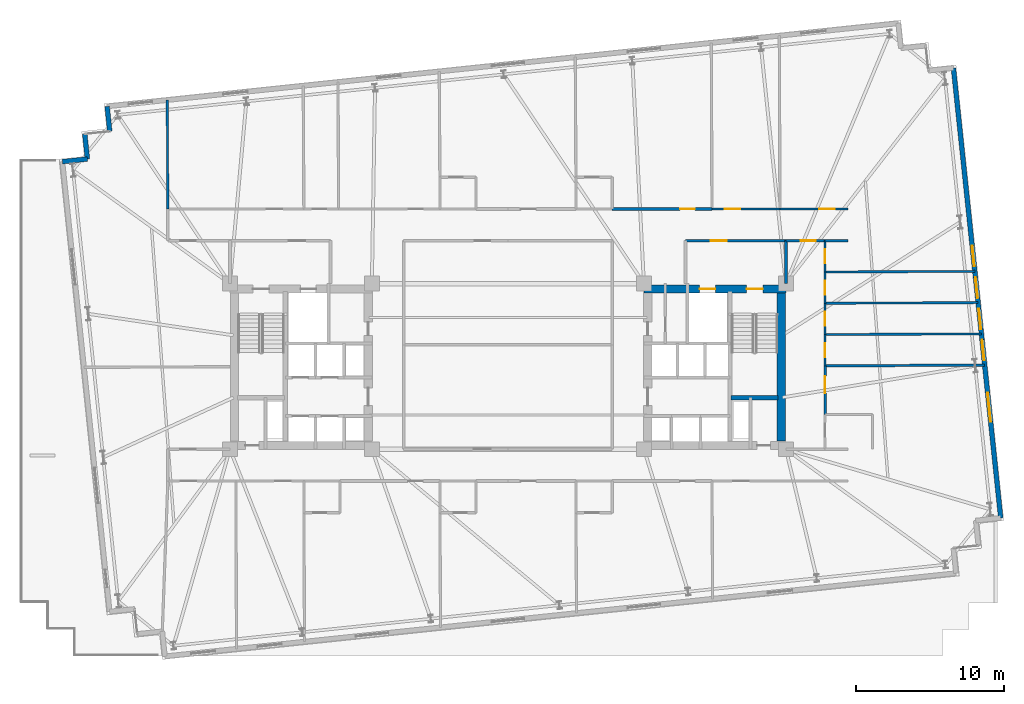
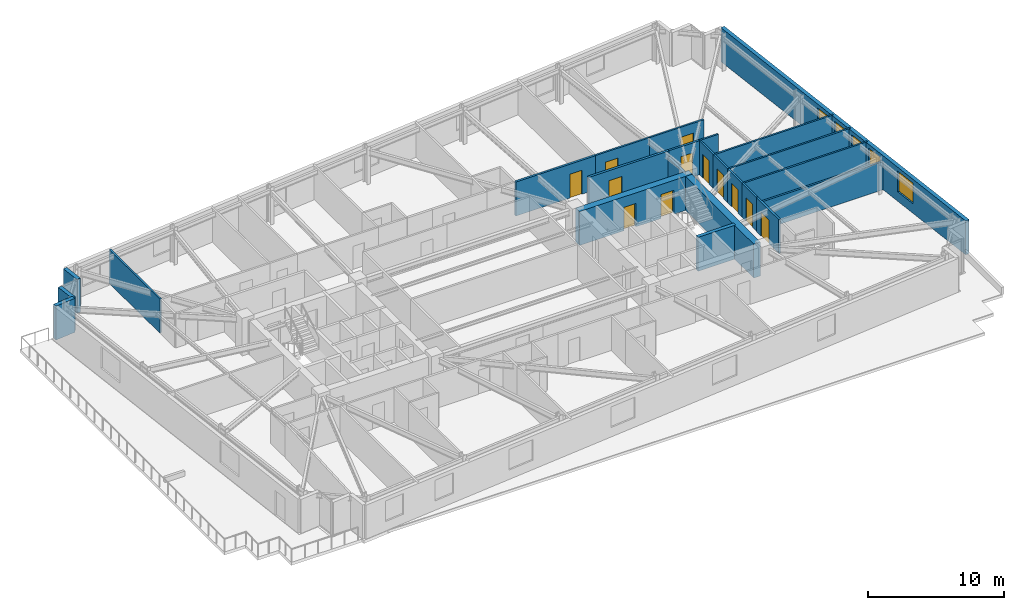
# One storey, part 15 of 20: 24 walls, 12 doors, 5 windows, 17 openings.
"""IFC4 building model written with IfcOpenShell, lengths in metres."""

import ifcopenshell
import ifcopenshell.guid

model = None  # the IFC model being written
_history = None  # IfcOwnerHistory: only IFC2X3 demands one
_inside = {}  # id of a spatial element -> (the spatial element, [elements in it])
_under = {}  # id of a project, library or spatial element -> (it, [spatial elements below it])
_declared = {}  # id of a project -> (the project, [libraries it declares])
_typed = {}  # id of a type object -> (the type object, [elements of that type])
_made_of = {}  # id of a material, layer set ... -> (it, [elements and type objects made of it])


def new_model(schema):
    """Start an empty IFC model of exactly this schema.

    Asked for "IFC4X3", IfcOpenShell would pick the latest addendum, in which some entities
    have other attributes; the version numbers below select the first issue.
    IFC2X3 requires an IfcOwnerHistory on every rooted entity: one is made here for all.
    """
    global model, _history
    if schema == "IFC4X3":
        model = ifcopenshell.file(schema_version=(4, 3, 0, 0))
    else:
        model = ifcopenshell.file(schema=schema)
    _inside.clear()
    _under.clear()
    _declared.clear()
    _typed.clear()
    _made_of.clear()
    _history = None
    if model.schema == "IFC2X3":
        org = make("IfcOrganization", Name="unknown")
        user = make(
            "IfcPersonAndOrganization",
            ThePerson=make("IfcPerson", FamilyName="unknown"),
            TheOrganization=org,
        )
        app = make(
            "IfcApplication",
            ApplicationDeveloper=org,
            Version="unknown",
            ApplicationFullName="unknown",
            ApplicationIdentifier="unknown",
        )
        _history = make(
            "IfcOwnerHistory",
            OwningUser=user,
            OwningApplication=app,
            ChangeAction="ADDED",
            CreationDate=0,
        )
    return model


def make(cls, **values):
    """One entity of the class cls with the attributes given. An attribute that is None is left unset."""
    return model.create_entity(
        cls, **{name: value for name, value in values.items() if value is not None}
    )


def rooted(cls, **values):
    """An entity with a GlobalId (a new one), such as an element, a storey or a relation."""
    return make(cls, GlobalId=ifcopenshell.guid.new(), OwnerHistory=_history, **values)


def si_unit(unit_type, name, prefix=None):
    """IfcSIUnit, for example si_unit("LENGTHUNIT", "METRE", prefix="MILLI")."""
    return make("IfcSIUnit", UnitType=unit_type, Prefix=prefix, Name=name)


def assignment(units):
    """IfcUnitAssignment: the units of a project."""
    return None if units is None else make("IfcUnitAssignment", Units=units)


def point(xyz):
    """IfcCartesianPoint."""
    return None if xyz is None else make("IfcCartesianPoint", Coordinates=xyz)


def direction(xyz):
    """IfcDirection."""
    return None if xyz is None else make("IfcDirection", DirectionRatios=xyz)


def frame(location, z_axis=None, x_axis=None):
    """IfcAxis2Placement3D, a coordinate frame: its origin and axes. An axis left out is left unset."""
    return make(
        "IfcAxis2Placement3D",
        Location=point(location),
        Axis=direction(z_axis),
        RefDirection=direction(x_axis),
    )


def frame_2d(location, x_axis=None):
    """IfcAxis2Placement2D, a coordinate frame in the plane: its origin and x axis."""
    return make(
        "IfcAxis2Placement2D", Location=point(location), RefDirection=direction(x_axis)
    )


def origin():
    """The frame at (0, 0, 0) with its axes left unset."""
    return frame((0.0, 0.0, 0.0))


def place(relative_to, where):
    """IfcLocalPlacement: puts the frame where relative to a parent placement (None: the world)."""
    return make(
        "IfcLocalPlacement", PlacementRelTo=relative_to, RelativePlacement=where
    )


def context(
    kind, dimensions, precision=None, world=None, true_north=None, identifier=None
):
    """IfcGeometricRepresentationContext, for example the 3D "Model" context."""
    return make(
        "IfcGeometricRepresentationContext",
        ContextIdentifier=identifier,
        ContextType=kind,
        CoordinateSpaceDimension=dimensions,
        Precision=precision,
        WorldCoordinateSystem=world,
        TrueNorth=true_north,
    )


def subcontext(parent, identifier, kind, view, scale=None):
    """IfcGeometricRepresentationSubContext, for example "Body" below "Model"."""
    return make(
        "IfcGeometricRepresentationSubContext",
        ContextIdentifier=identifier,
        ContextType=kind,
        ParentContext=parent,
        TargetScale=scale,
        TargetView=view,
    )


def project(units=None, contexts=None):
    """IfcProject with its units and contexts."""
    return rooted(
        "IfcProject",
        Name="project",
        RepresentationContexts=contexts,
        UnitsInContext=assignment(units),
    )


def spatial(cls, under=None, at=None, **own):
    """A site, building, storey or space (cls), placed at a placement, below another one or the project."""
    s = rooted(cls, ObjectPlacement=at, **own)
    if under is not None:
        _under.setdefault(under.id(), (under, []))[1].append(s)
    return s


def profile(cls, at=None, kind="AREA", **sizes):
    """A parametric profile (cls). Its sizes go by their IFC names, for example OverallWidth=200.0."""
    return make(cls, ProfileType=kind, Position=at, **sizes)


def rectangle(**sizes):
    """IfcRectangleProfileDef."""
    return profile("IfcRectangleProfileDef", **sizes)


def extrude(swept, where, along, depth):
    """IfcExtrudedAreaSolid: the profile swept, set in the frame where, extruded along a direction by depth."""
    return make(
        "IfcExtrudedAreaSolid",
        SweptArea=swept,
        Position=where,
        ExtrudedDirection=direction(along),
        Depth=depth,
    )


def shape(context_of_items, identifier, shape_type, items):
    """IfcShapeRepresentation: the items that make up one representation, for example the "Body"."""
    return make(
        "IfcShapeRepresentation",
        ContextOfItems=context_of_items,
        RepresentationIdentifier=identifier,
        RepresentationType=shape_type,
        Items=items,
    )


def material(Name=None, Category=None):
    """IfcMaterial."""
    return make("IfcMaterial", Name=Name, Category=Category)


def layer(
    of_material, thickness, ventilated=None, Name=None, Category=None, Priority=None
):
    """IfcMaterialLayer: one layer of a wall or slab, of a material (None: an air gap)."""
    return make(
        "IfcMaterialLayer",
        Material=of_material,
        LayerThickness=thickness,
        IsVentilated=ventilated,
        Name=Name,
        Category=Category,
        Priority=Priority,
    )


def layer_set(layers, Name=None):
    """IfcMaterialLayerSet."""
    return make("IfcMaterialLayerSet", MaterialLayers=layers, LayerSetName=Name)


def made_of(thing, what):
    """Note that an element or type object is made of a material, layer set ...; save() writes the relation."""
    if what is not None:
        _made_of.setdefault(what.id(), (what, []))[1].append(thing)
    return thing


def type_object(cls, material=None, **own):
    """A type object (cls), such as IfcWallType, which elements share."""
    return made_of(rooted(cls, **own), material)


def element(
    cls,
    number,
    at=None,
    inside=None,
    cuts=None,
    type_object=None,
    material=None,
    context=None,
    identifier="Body",
    shape_type=None,
    held_by="IfcProductDefinitionShape",
    body=None,
    shapes=None,
    **own,
):
    """One element of the class cls, such as IfcWall. Its Tag is "e" and its number.

    at: its placement. inside: the storey or other place that contains it. cuts: it is an
    opening in that element (IfcRelVoidsElement). A single representation is given by context,
    identifier, shape_type and body (its items); several are given by shapes. held_by: the class
    of the entity that holds the representations. save() writes the other relations.
    """
    e = rooted(cls, Tag="e%d" % number, ObjectPlacement=at, **own)
    if body is not None:
        shapes = [shape(context, identifier, shape_type, body)]
    if shapes is not None:
        e.Representation = make(held_by, Representations=shapes)
    if inside is not None:
        _inside.setdefault(inside.id(), (inside, []))[1].append(e)
    if cuts is not None:
        rooted(
            "IfcRelVoidsElement", RelatingBuildingElement=cuts, RelatedOpeningElement=e
        )
    if type_object is not None:
        _typed.setdefault(type_object.id(), (type_object, []))[1].append(e)
    return made_of(e, material)


def fill(opening, filler):
    """IfcRelFillsElement: the door or window that sits in an opening."""
    return rooted(
        "IfcRelFillsElement",
        RelatingOpeningElement=opening,
        RelatedBuildingElement=filler,
    )


def aggregate(whole, parts):
    """IfcRelAggregates: a whole, such as a stair, and the parts it consists of."""
    return rooted("IfcRelAggregates", RelatingObject=whole, RelatedObjects=parts)


def save(model, path):
    """Write the relations noted so far, then the file.

    IfcRelAggregates (storeys below a building ...), IfcRelContainedInSpatialStructure (elements
    in a storey), IfcRelDefinesByType, IfcRelAssociatesMaterial and IfcRelDeclares: one each for
    every whole, place, type object, material and project.
    """
    for whole, parts in _under.values():
        aggregate(whole, parts)
    for where, things in _inside.values():
        rooted(
            "IfcRelContainedInSpatialStructure",
            RelatedElements=things,
            RelatingStructure=where,
        )
    for kind, things in _typed.values():
        rooted("IfcRelDefinesByType", RelatedObjects=things, RelatingType=kind)
    for what, things in _made_of.values():
        rooted("IfcRelAssociatesMaterial", RelatedObjects=things, RelatingMaterial=what)
    for by, libraries in _declared.values():
        rooted("IfcRelDeclares", RelatingContext=by, RelatedDefinitions=libraries)
    model.write(path)


model = new_model("IFC4")

# Units and contexts
model_context = context("Model", 3, precision=1e-05, world=origin(), true_north=direction((0.0, 1.0)))
body_context = subcontext(model_context, "Body", "Model", "MODEL_VIEW")
ifc_project = project(units=[si_unit("LENGTHUNIT", "METRE"), si_unit("AREAUNIT", "SQUARE_METRE"), si_unit("VOLUMEUNIT", "CUBIC_METRE"), si_unit("PLANEANGLEUNIT", "RADIAN"), si_unit("MASSUNIT", "GRAM", prefix="KILO")], contexts=[model_context])

# Site, building, storey
site_placement = place(None, origin())
site = spatial("IfcSite", under=ifc_project, at=site_placement, CompositionType="ELEMENT")
building_placement = place(site_placement, origin())
building = spatial("IfcBuilding", under=site, at=building_placement, Name="Qobustan Lattice House", CompositionType="ELEMENT")
storey_placement = place(building_placement, frame((0.0, 0.0, 79.0)))
storey = spatial("IfcBuildingStorey", under=building, at=storey_placement, Name="L21", CompositionType="ELEMENT", Elevation=79.0)

# Wall, openings, doors
ifc_material_1 = material(Name="Concrete C60/75", Category="concrete")
ifc_layer_1 = layer(ifc_material_1, 0.56005859375)
ifc_layer_set_1 = layer_set([ifc_layer_1], Name="Concrete C60/75")
wall_type_1 = type_object("IfcWallType", Name="WAL-CORE-600", PredefinedType="SHEAR", material=ifc_layer_set_1)
wall_1_placement = place(storey_placement, frame((9.199951171875, 5.239990234375, 0.0), z_axis=(0.0, 0.0, 1.0), x_axis=(1.0, 0.0, 0.0)))
wall_1 = element("IfcWall", 1, at=wall_1_placement, inside=storey, type_object=wall_type_1, Name="L21 split-core shear wall CE-N", PredefinedType="SHEAR", context=body_context, shape_type="SweptSolid", body=[
    extrude(rectangle(XDim=9.60009765625, YDim=0.56005859375, at=frame_2d((4.800048828125, 0.0))), origin(), (0.0, 0.0, 1.0), 3.044921875),
])
opening_1_placement = place(wall_1_placement, frame((6.949951171875, 0.0, 0.0)))
opening_1 = element("IfcOpeningElement", 2, at=opening_1_placement, cuts=wall_1, Name="Opening SD-01", PredefinedType="OPENING", context=body_context, shape_type="SweptSolid", body=[
    extrude(rectangle(XDim=1.10009765625, YDim=2.14990234375, at=frame_2d((0.550048828125, 1.074951171875))), frame((0.0, 0.2900390625, 0.0), z_axis=(0.0, -1.0, 0.0), x_axis=(1.0, 0.0, 0.0)), (0.0, 0.0, 1.0), 0.580078125),
])
opening_2_placement = place(wall_1_placement, frame((3.77490234375, 0.0, 0.0)))
opening_2 = element("IfcOpeningElement", 3, at=opening_2_placement, cuts=wall_1, Name="Opening LD-01", PredefinedType="OPENING", context=body_context, shape_type="SweptSolid", body=[
    extrude(rectangle(XDim=1.050048828125, YDim=2.10009765625, at=frame_2d((0.52490234375, 1.050048828125))), frame((0.0, 0.2900390625, 0.0), z_axis=(0.0, -1.0, 0.0), x_axis=(1.0, 0.0, 0.0)), (0.0, 0.0, 1.0), 0.580078125),
])
ifc_material_2 = material(Name="Persian walnut timber and steel frame door", Category="steel")
door_type_1 = type_object("IfcDoorType", Name="DOR-LIFT-LD-1050x2100", OperationType="NOTDEFINED", PredefinedType="DOOR", material=ifc_material_2)
door_1_placement = place(opening_2_placement, origin())
door_1 = element("IfcDoor", 4, at=door_1_placement, inside=storey, type_object=door_type_1, Name="L21 firefighting lift FF-E landing door", OperationType="DOUBLE_DOOR_SLIDING", OverallHeight=2.10009765625, OverallWidth=1.050048828125, PredefinedType="DOOR", context=body_context, shape_type="SweptSolid", body=[
    extrude(rectangle(XDim=1.050048828125, YDim=2.10009765625, at=frame_2d((0.52490234375, 1.050048828125))), frame((0.0, 0.02490234375, 0.0), z_axis=(0.0, -1.0, 0.0), x_axis=(1.0, 0.0, 0.0)), (0.0, 0.0, 1.0), 0.050048828125),
])
fill(opening_2, door_1)
ifc_material_3 = material(Name="Persian walnut timber and steel frame door", Category="steel")
door_type_2 = type_object("IfcDoorType", Name="DOR-STAIR-FD-1100x2150", OperationType="NOTDEFINED", PredefinedType="DOOR", material=ifc_material_3)
door_2_placement = place(opening_1_placement, origin())
door_2 = element("IfcDoor", 5, at=door_2_placement, inside=storey, type_object=door_type_2, Name="L21 exit stair ST-E1 fire door", OperationType="SINGLE_SWING_RIGHT", OverallHeight=2.14990234375, OverallWidth=1.10009765625, PredefinedType="DOOR", context=body_context, shape_type="SweptSolid", body=[
    extrude(rectangle(XDim=1.10009765625, YDim=2.14990234375, at=frame_2d((0.550048828125, 1.074951171875))), frame((0.0, 0.02490234375, 0.0), z_axis=(0.0, -1.0, 0.0), x_axis=(1.0, 0.0, 0.0)), (0.0, 0.0, 1.0), 0.050048828125),
])
fill(opening_1, door_2)

# Walls
wall_2_placement = place(storey_placement, frame((18.489990234375, -5.050048828125, 0.0), z_axis=(0.0, 0.0, 1.0), x_axis=(0.0, 1.0, 0.0)))
element("IfcWall", 6, at=wall_2_placement, inside=storey, type_object=wall_type_1, Name="L21 split-core shear wall CE-E", PredefinedType="SHEAR", context=body_context, shape_type="SweptSolid", body=[
    extrude(rectangle(XDim=10.10009765625, YDim=0.56005859375, at=frame_2d((5.050048828125, 0.0))), origin(), (0.0, 0.0, 1.0), 3.044921875),
])
ifc_material_4 = material(Name="Concrete C50/60", Category="concrete")
ifc_layer_2 = layer(ifc_material_4, 0.280029296875)
ifc_layer_set_2 = layer_set([ifc_layer_2], Name="Concrete C50/60")
wall_type_2 = type_object("IfcWallType", Name="WAL-CORE-SPINE-280", PredefinedType="SHEAR", material=ifc_layer_set_2)
wall_3_placement = place(storey_placement, frame((15.10009765625, -2.110107421875, 0.0), z_axis=(0.0, 0.0, 1.0), x_axis=(1.0, 0.0, 0.0)))
element("IfcWall", 7, at=wall_3_placement, inside=storey, type_object=wall_type_2, Name="L21 split-core shear wall CE-ST", PredefinedType="SHEAR", context=body_context, shape_type="SweptSolid", body=[
    extrude(rectangle(XDim=3.179931640625, YDim=0.300048828125, at=frame_2d((1.58984375, 0.0))), origin(), (0.0, 0.0, 1.0), 3.044921875),
])
ifc_material_5 = material(Name="Precast concrete C40/50", Category="concrete")
ifc_layer_3 = layer(ifc_material_5, 0.320068359375)
ifc_layer_set_3 = layer_set([ifc_layer_3], Name="Precast concrete C40/50")
wall_type_3 = type_object("IfcWallType", Name="WAL-EXT-STONE-320", PredefinedType="SOLIDWALL", material=ifc_layer_set_3)
for number, where, z_axis, x_axis, name in (
    (8, (-30.13330078125, 13.84912109375, 0.0), (0.0, 0.0, 1.0), (0.994534530939, 0.104408173862, 0.0), "L21 exterior limestone-clad wall 6"),
    (9, (-28.442626953125, 14.026611328125, 0.0), (0.0, 0.0, 1.0), (-0.104550220202, 0.994519608382, 0.0), "L21 exterior limestone-clad wall 7"),
    (10, (-26.9296875, 15.89501953125, 0.0), (0.0, 0.0, 1.0), (-0.104550220202, 0.994519608382, 0.0), "L21 exterior limestone-clad wall 9"),
):
    element("IfcWall", number, at=place(storey_placement, frame(where, z_axis=z_axis, x_axis=x_axis)), inside=storey, type_object=wall_type_3, Name=name, PredefinedType="SOLIDWALL", context=body_context, shape_type="SweptSolid", body=[
        extrude(rectangle(XDim=1.699951171875, YDim=0.320068359375, at=frame_2d((0.85009765625, 0.0))), origin(), (0.0, 0.0, 1.0), 3.044921875),
    ])

# Wall, openings, windows
wall_4_placement = place(storey_placement, frame((30.134765625, 20.183349609375, 0.0), z_axis=(0.0, 0.0, 1.0), x_axis=(0.104525716865, -0.994522184023, 0.0)))
wall_4 = element("IfcWall", 11, at=wall_4_placement, inside=storey, type_object=wall_type_3, Name="L21 exterior limestone-clad wall 15", PredefinedType="SOLIDWALL", context=body_context, shape_type="SweptSolid", body=[
    extrude(rectangle(XDim=30.60009765625, YDim=0.320068359375, at=frame_2d((15.300048828125, 0.0))), origin(), (0.0, 0.0, 1.0), 3.044921875),
])
opening_3_placement = place(wall_4_placement, frame((12.07666015625, 0.0, 0.85009765625)))
opening_3 = element("IfcOpeningElement", 12, at=opening_3_placement, cuts=wall_4, Name="Opening WN-12", PredefinedType="OPENING", context=body_context, shape_type="SweptSolid", body=[
    extrude(rectangle(XDim=1.39990234375, YDim=1.85009765625, at=frame_2d((0.699951171875, 0.925048828125))), frame((0.0, 0.169921875, 0.0), z_axis=(0.0, -1.0, 0.0), x_axis=(1.0, 0.0, 0.0)), (0.0, 0.0, 1.0), 0.340087890625),
])
opening_4_placement = place(wall_4_placement, frame((14.239501953125, 0.0, 0.85009765625)))
opening_4 = element("IfcOpeningElement", 13, at=opening_4_placement, cuts=wall_4, Name="Opening WN-12", PredefinedType="OPENING", context=body_context, shape_type="SweptSolid", body=[
    extrude(rectangle(XDim=1.39990234375, YDim=1.85009765625, at=frame_2d((0.699951171875, 0.925048828125))), frame((0.0, 0.169921875, 0.0), z_axis=(0.0, -1.0, 0.0), x_axis=(1.0, 0.0, 0.0)), (0.0, 0.0, 1.0), 0.340087890625),
])
opening_5_placement = place(wall_4_placement, frame((16.3623046875, 0.0, 0.85009765625)))
opening_5 = element("IfcOpeningElement", 14, at=opening_5_placement, cuts=wall_4, Name="Opening WN-12", PredefinedType="OPENING", context=body_context, shape_type="SweptSolid", body=[
    extrude(rectangle(XDim=1.39990234375, YDim=1.85009765625, at=frame_2d((0.699951171875, 0.925048828125))), frame((0.0, 0.169921875, 0.0), z_axis=(0.0, -1.0, 0.0), x_axis=(1.0, 0.0, 0.0)), (0.0, 0.0, 1.0), 0.340087890625),
])
opening_6_placement = place(wall_4_placement, frame((18.485107421875, 0.0, 0.85009765625)))
opening_6 = element("IfcOpeningElement", 15, at=opening_6_placement, cuts=wall_4, Name="Opening WN-12", PredefinedType="OPENING", context=body_context, shape_type="SweptSolid", body=[
    extrude(rectangle(XDim=1.39990234375, YDim=1.85009765625, at=frame_2d((0.699951171875, 0.925048828125))), frame((0.0, 0.169921875, 0.0), z_axis=(0.0, -1.0, 0.0), x_axis=(1.0, 0.0, 0.0)), (0.0, 0.0, 1.0), 0.340087890625),
])
opening_7_placement = place(wall_4_placement, frame((22.09521484375, 0.0, 0.85009765625)))
opening_7 = element("IfcOpeningElement", 16, at=opening_7_placement, cuts=wall_4, Name="Opening WN-08", PredefinedType="OPENING", context=body_context, shape_type="SweptSolid", body=[
    extrude(rectangle(XDim=1.949951171875, YDim=1.85009765625, at=frame_2d((0.97509765625, 0.925048828125))), frame((0.0, 0.169921875, 0.0), z_axis=(0.0, -1.0, 0.0), x_axis=(1.0, 0.0, 0.0)), (0.0, 0.0, 1.0), 0.340087890625),
])
ifc_material_6 = material(Name="Double-glazed low-E aluminium window", Category="aluminium")
window_type_1 = type_object("IfcWindowType", Name="WIN-BED-1400x1850", PartitioningType="SINGLE_PANEL", PredefinedType="WINDOW", material=ifc_material_6)
window_1_placement = place(opening_3_placement, origin())
window_1 = element("IfcWindow", 17, at=window_1_placement, inside=storey, type_object=window_type_1, Name="L21 Cluster bedroom L21E4 window", OverallHeight=1.85009765625, OverallWidth=1.39990234375, PartitioningType="SINGLE_PANEL", PredefinedType="WINDOW", context=body_context, shape_type="SweptSolid", body=[
    extrude(rectangle(XDim=1.39990234375, YDim=1.85009765625, at=frame_2d((0.699951171875, 0.925048828125))), frame((0.0, 0.030029296875, 0.0), z_axis=(0.0, -1.0, 0.0), x_axis=(1.0, 0.0, 0.0)), (0.0, 0.0, 1.0), 0.06005859375),
])
fill(opening_3, window_1)
window_2_placement = place(opening_4_placement, origin())
window_2 = element("IfcWindow", 18, at=window_2_placement, inside=storey, type_object=window_type_1, Name="L21 Cluster bedroom L21E3 window", OverallHeight=1.85009765625, OverallWidth=1.39990234375, PartitioningType="SINGLE_PANEL", PredefinedType="WINDOW", context=body_context, shape_type="SweptSolid", body=[
    extrude(rectangle(XDim=1.39990234375, YDim=1.85009765625, at=frame_2d((0.699951171875, 0.925048828125))), frame((0.0, 0.030029296875, 0.0), z_axis=(0.0, -1.0, 0.0), x_axis=(1.0, 0.0, 0.0)), (0.0, 0.0, 1.0), 0.06005859375),
])
fill(opening_4, window_2)
window_3_placement = place(opening_5_placement, origin())
window_3 = element("IfcWindow", 19, at=window_3_placement, inside=storey, type_object=window_type_1, Name="L21 Cluster bedroom L21E2 window", OverallHeight=1.85009765625, OverallWidth=1.39990234375, PartitioningType="SINGLE_PANEL", PredefinedType="WINDOW", context=body_context, shape_type="SweptSolid", body=[
    extrude(rectangle(XDim=1.39990234375, YDim=1.85009765625, at=frame_2d((0.699951171875, 0.925048828125))), frame((0.0, 0.030029296875, 0.0), z_axis=(0.0, -1.0, 0.0), x_axis=(1.0, 0.0, 0.0)), (0.0, 0.0, 1.0), 0.06005859375),
])
fill(opening_5, window_3)
window_4_placement = place(opening_6_placement, origin())
window_4 = element("IfcWindow", 20, at=window_4_placement, inside=storey, type_object=window_type_1, Name="L21 Cluster bedroom L21E1 window", OverallHeight=1.85009765625, OverallWidth=1.39990234375, PartitioningType="SINGLE_PANEL", PredefinedType="WINDOW", context=body_context, shape_type="SweptSolid", body=[
    extrude(rectangle(XDim=1.39990234375, YDim=1.85009765625, at=frame_2d((0.699951171875, 0.925048828125))), frame((0.0, 0.030029296875, 0.0), z_axis=(0.0, -1.0, 0.0), x_axis=(1.0, 0.0, 0.0)), (0.0, 0.0, 1.0), 0.06005859375),
])
fill(opening_6, window_4)
ifc_material_7 = material(Name="Double-glazed low-E aluminium window", Category="aluminium")
window_type_2 = type_object("IfcWindowType", Name="WIN-KIT-1950x1850", PartitioningType="SINGLE_PANEL", PredefinedType="WINDOW", material=ifc_material_7)
window_5_placement = place(opening_7_placement, origin())
window_5 = element("IfcWindow", 21, at=window_5_placement, inside=storey, type_object=window_type_2, Name="L21 Shared kitchen L21E window", OverallHeight=1.85009765625, OverallWidth=1.949951171875, PartitioningType="SINGLE_PANEL", PredefinedType="WINDOW", context=body_context, shape_type="SweptSolid", body=[
    extrude(rectangle(XDim=1.949951171875, YDim=1.85009765625, at=frame_2d((0.97509765625, 0.925048828125))), frame((0.0, 0.030029296875, 0.0), z_axis=(0.0, -1.0, 0.0), x_axis=(1.0, 0.0, 0.0)), (0.0, 0.0, 1.0), 0.06005859375),
])
fill(opening_7, window_5)

# Wall, opening, door
ifc_material_8 = material(Name="Gypsum fireboard acoustic partition", Category="gypsum")
ifc_layer_4 = layer(ifc_material_8, 0.179931640625)
ifc_layer_set_4 = layer_set([ifc_layer_4], Name="Gypsum fireboard acoustic partition")
wall_type_4 = type_object("IfcWallType", Name="WAL-FIRE-180", PredefinedType="PARTITIONING", material=ifc_layer_set_4)
wall_5_placement = place(storey_placement, frame((21.449951171875, 8.5, 0.0), z_axis=(0.0, 0.0, 1.0), x_axis=(-1.0, 0.0, 0.0)))
wall_5 = element("IfcWall", 22, at=wall_5_placement, inside=storey, type_object=wall_type_4, Name="L21 interior partition 44", PredefinedType="PARTITIONING", context=body_context, shape_type="SweptSolid", body=[
    extrude(rectangle(XDim=2.64990234375, YDim=0.179931640625, at=frame_2d((1.324951171875, 0.0))), origin(), (0.0, 0.0, 1.0), 3.044921875),
])
opening_8_placement = place(wall_5_placement, frame((0.64111328125, 0.0, 0.0)))
opening_8 = element("IfcOpeningElement", 23, at=opening_8_placement, cuts=wall_5, Name="Opening FD-02", PredefinedType="OPENING", context=body_context, shape_type="SweptSolid", body=[
    extrude(rectangle(XDim=1.0, YDim=2.14990234375, at=frame_2d((0.5, 1.074951171875))), frame((0.0, 0.099853515625, 0.0), z_axis=(0.0, -1.0, 0.0), x_axis=(1.0, 0.0, 0.0)), (0.0, 0.0, 1.0), 0.199951171875),
])
ifc_material_9 = material(Name="Persian walnut timber and steel frame door", Category="steel")
door_type_3 = type_object("IfcDoorType", Name="DOR-UNIT-FD-1000x2150", OperationType="NOTDEFINED", PredefinedType="DOOR", material=ifc_material_9)
door_3_placement = place(opening_8_placement, origin())
door_3 = element("IfcDoor", 24, at=door_3_placement, inside=storey, type_object=door_type_3, Name="L21 North-east floor corridor to Residence entrance hall L21E door", OperationType="SINGLE_SWING_LEFT", OverallHeight=2.14990234375, OverallWidth=1.0, PredefinedType="DOOR", context=body_context, shape_type="SweptSolid", body=[
    extrude(rectangle(XDim=1.0, YDim=2.14990234375, at=frame_2d((0.5, 1.074951171875))), frame((0.0, 0.02490234375, 0.0), z_axis=(0.0, -1.0, 0.0), x_axis=(1.0, 0.0, 0.0)), (0.0, 0.0, 1.0), 0.050048828125),
])
fill(opening_8, door_3)

wall_6_placement = place(storey_placement, frame((7.050048828125, 10.64990234375, 0.0), z_axis=(0.0, 0.0, 1.0), x_axis=(1.0, 0.0, 0.0)))
wall_6 = element("IfcWall", 25, at=wall_6_placement, inside=storey, type_object=wall_type_4, Name="L21 interior partition 47", PredefinedType="PARTITIONING", context=body_context, shape_type="SweptSolid", body=[
    extrude(rectangle(XDim=6.75, YDim=0.179931640625, at=frame_2d((3.375, 0.0))), origin(), (0.0, 0.0, 1.0), 3.044921875),
])
opening_9_placement = place(wall_6_placement, frame((4.59619140625, 0.0, 0.0)))
opening_9 = element("IfcOpeningElement", 26, at=opening_9_placement, cuts=wall_6, Name="Opening FD-02", PredefinedType="OPENING", context=body_context, shape_type="SweptSolid", body=[
    extrude(rectangle(XDim=1.0, YDim=2.14990234375, at=frame_2d((0.5, 1.074951171875))), frame((0.0, 0.099853515625, 0.0), z_axis=(0.0, -1.0, 0.0), x_axis=(1.0, 0.0, 0.0)), (0.0, 0.0, 1.0), 0.199951171875),
])
door_4_placement = place(opening_9_placement, origin())
door_4 = element("IfcDoor", 27, at=door_4_placement, inside=storey, type_object=door_type_3, Name="L21 North-east floor corridor to Kitchenette and studio apartment L21-N4 door", OperationType="SINGLE_SWING_LEFT", OverallHeight=2.14990234375, OverallWidth=1.0, PredefinedType="DOOR", context=body_context, shape_type="SweptSolid", body=[
    extrude(rectangle(XDim=1.0, YDim=2.14990234375, at=frame_2d((0.5, 1.074951171875))), frame((0.0, 0.02490234375, 0.0), z_axis=(0.0, -1.0, 0.0), x_axis=(1.0, 0.0, 0.0)), (0.0, 0.0, 1.0), 0.050048828125),
])
fill(opening_9, door_4)

# Wall
ifc_material_10 = material(Name="Acoustic twin-stud gypsum partition", Category="gypsum")
ifc_layer_5 = layer(ifc_material_10, 0.14990234375)
ifc_layer_set_5 = layer_set([ifc_layer_5], Name="Acoustic twin-stud gypsum partition")
wall_type_5 = type_object("IfcWallType", Name="WAL-PART-150", PredefinedType="PARTITIONING", material=ifc_layer_set_5)
wall_7_placement = place(storey_placement, frame((23.0, 8.5, 0.0), z_axis=(0.0, 0.0, 1.0), x_axis=(-1.0, 0.0, 0.0)))
element("IfcWall", 28, at=wall_7_placement, inside=storey, type_object=wall_type_5, Name="L21 interior partition 45", PredefinedType="PARTITIONING", context=body_context, shape_type="SweptSolid", body=[
    extrude(rectangle(XDim=1.550048828125, YDim=0.14990234375, at=frame_2d((0.77490234375, 0.0))), origin(), (0.0, 0.0, 1.0), 3.044921875),
])

# Wall, opening, door
wall_8_placement = place(storey_placement, frame((13.800048828125, 10.64990234375, 0.0), z_axis=(0.0, 0.0, 1.0), x_axis=(1.0, 0.0, 0.0)))
wall_8 = element("IfcWall", 29, at=wall_8_placement, inside=storey, type_object=wall_type_5, Name="L21 interior partition 49", PredefinedType="PARTITIONING", context=body_context, shape_type="SweptSolid", body=[
    extrude(rectangle(XDim=4.599853515625, YDim=0.14990234375, at=frame_2d((2.2998046875, 0.0))), origin(), (0.0, 0.0, 1.0), 3.044921875),
])
opening_10_placement = place(wall_8_placement, frame((0.878662109375, 0.0, 0.0)))
opening_10 = element("IfcOpeningElement", 30, at=opening_10_placement, cuts=wall_8, Name="Opening ID-02", PredefinedType="OPENING", context=body_context, shape_type="SweptSolid", body=[
    extrude(rectangle(XDim=1.050048828125, YDim=2.14990234375, at=frame_2d((0.52490234375, 1.074951171875))), frame((0.0, 0.0849609375, 0.0), z_axis=(0.0, -1.0, 0.0), x_axis=(1.0, 0.0, 0.0)), (0.0, 0.0, 1.0), 0.169921875),
])
ifc_material_11 = material(Name="Persian walnut timber and steel frame door", Category="steel")
door_type_4 = type_object("IfcDoorType", Name="DOR-STUDY-1050x2150", OperationType="NOTDEFINED", PredefinedType="DOOR", material=ifc_material_11)
door_5_placement = place(opening_10_placement, origin())
door_5 = element("IfcDoor", 31, at=door_5_placement, inside=storey, type_object=door_type_4, Name="L21 North-east floor corridor to Focus study room N5A door", OperationType="SINGLE_SWING_RIGHT", OverallHeight=2.14990234375, OverallWidth=1.050048828125, PredefinedType="DOOR", context=body_context, shape_type="SweptSolid", body=[
    extrude(rectangle(XDim=1.050048828125, YDim=2.14990234375, at=frame_2d((0.52490234375, 1.074951171875))), frame((0.0, 0.02490234375, 0.0), z_axis=(0.0, -1.0, 0.0), x_axis=(1.0, 0.0, 0.0)), (0.0, 0.0, 1.0), 0.050048828125),
])
fill(opening_10, door_5)

wall_9_placement = place(storey_placement, frame((18.39990234375, 10.64990234375, 0.0), z_axis=(0.0, 0.0, 1.0), x_axis=(1.0, 0.0, 0.0)))
wall_9 = element("IfcWall", 32, at=wall_9_placement, inside=storey, type_object=wall_type_5, Name="L21 interior partition 50", PredefinedType="PARTITIONING", context=body_context, shape_type="SweptSolid", body=[
    extrude(rectangle(XDim=4.60009765625, YDim=0.14990234375, at=frame_2d((2.300048828125, 0.0))), origin(), (0.0, 0.0, 1.0), 3.044921875),
])
opening_11_placement = place(wall_9_placement, frame((2.67138671875, 0.0, 0.0)))
opening_11 = element("IfcOpeningElement", 33, at=opening_11_placement, cuts=wall_9, Name="Opening ID-02", PredefinedType="OPENING", context=body_context, shape_type="SweptSolid", body=[
    extrude(rectangle(XDim=1.050048828125, YDim=2.14990234375, at=frame_2d((0.52490234375, 1.074951171875))), frame((0.0, 0.0849609375, 0.0), z_axis=(0.0, -1.0, 0.0), x_axis=(1.0, 0.0, 0.0)), (0.0, 0.0, 1.0), 0.169921875),
])
door_6_placement = place(opening_11_placement, origin())
door_6 = element("IfcDoor", 34, at=door_6_placement, inside=storey, type_object=door_type_4, Name="L21 North-east floor corridor to Focus study room N5B door", OperationType="SINGLE_SWING_LEFT", OverallHeight=2.14990234375, OverallWidth=1.050048828125, PredefinedType="DOOR", context=body_context, shape_type="SweptSolid", body=[
    extrude(rectangle(XDim=1.050048828125, YDim=2.14990234375, at=frame_2d((0.52490234375, 1.074951171875))), frame((0.0, 0.02490234375, 0.0), z_axis=(0.0, -1.0, 0.0), x_axis=(1.0, 0.0, 0.0)), (0.0, 0.0, 1.0), 0.050048828125),
])
fill(opening_11, door_6)

# Wall
wall_10_placement = place(storey_placement, frame((-23.0439453125, 18.0126953125, 0.0), z_axis=(0.0, 0.0, 1.0), x_axis=(0.005968459246, -0.999982188588, 0.0)))
element("IfcWall", 35, at=wall_10_placement, inside=storey, type_object=wall_type_5, Name="L21 interior partition 74", PredefinedType="PARTITIONING", context=body_context, shape_type="SweptSolid", body=[
    extrude(rectangle(XDim=7.363037109375, YDim=0.14990234375, at=frame_2d((3.681640625, 0.0))), origin(), (0.0, 0.0, 1.0), 3.044921875),
])

# Wall, opening, door
wall_11_placement = place(storey_placement, frame((21.449951171875, 2.155029296875, 0.0), z_axis=(0.0, 0.0, 1.0), x_axis=(0.0, -1.0, 0.0)))
wall_11 = element("IfcWall", 36, at=wall_11_placement, inside=storey, type_object=wall_type_5, Name="L21 interior partition 77", PredefinedType="PARTITIONING", context=body_context, shape_type="SweptSolid", body=[
    extrude(rectangle(XDim=2.114990234375, YDim=0.14990234375, at=frame_2d((1.0576171875, 0.0))), origin(), (0.0, 0.0, 1.0), 3.044921875),
])
opening_12_placement = place(wall_11_placement, frame((0.58251953125, 0.0, 0.0)))
opening_12 = element("IfcOpeningElement", 37, at=opening_12_placement, cuts=wall_11, Name="Opening ID-01", PredefinedType="OPENING", context=body_context, shape_type="SweptSolid", body=[
    extrude(rectangle(XDim=0.949951171875, YDim=2.10009765625, at=frame_2d((0.47509765625, 1.050048828125))), frame((0.0, 0.0849609375, 0.0), z_axis=(0.0, -1.0, 0.0), x_axis=(1.0, 0.0, 0.0)), (0.0, 0.0, 1.0), 0.169921875),
])
ifc_material_12 = material(Name="Persian walnut timber and steel frame door", Category="steel")
door_type_5 = type_object("IfcDoorType", Name="DOR-ROOM-950x2100", OperationType="NOTDEFINED", PredefinedType="DOOR", material=ifc_material_12)
door_7_placement = place(opening_12_placement, origin())
door_7 = element("IfcDoor", 38, at=door_7_placement, inside=storey, type_object=door_type_5, Name="L21 Residence entrance hall L21E to Cluster bedroom L21E1 door", OperationType="SINGLE_SWING_RIGHT", OverallHeight=2.10009765625, OverallWidth=0.949951171875, PredefinedType="DOOR", context=body_context, shape_type="SweptSolid", body=[
    extrude(rectangle(XDim=0.949951171875, YDim=2.10009765625, at=frame_2d((0.47509765625, 1.050048828125))), frame((0.0, 0.02490234375, 0.0), z_axis=(0.0, -1.0, 0.0), x_axis=(1.0, 0.0, 0.0)), (0.0, 0.0, 1.0), 0.050048828125),
])
fill(opening_12, door_7)

wall_12_placement = place(storey_placement, frame((21.449951171875, 4.27001953125, 0.0), z_axis=(0.0, 0.0, 1.0), x_axis=(0.0, -1.0, 0.0)))
wall_12 = element("IfcWall", 39, at=wall_12_placement, inside=storey, type_object=wall_type_5, Name="L21 interior partition 78", PredefinedType="PARTITIONING", context=body_context, shape_type="SweptSolid", body=[
    extrude(rectangle(XDim=2.114990234375, YDim=0.14990234375, at=frame_2d((1.0576171875, 0.0))), origin(), (0.0, 0.0, 1.0), 3.044921875),
])
opening_13_placement = place(wall_12_placement, frame((0.58251953125, 0.0, 0.0)))
opening_13 = element("IfcOpeningElement", 40, at=opening_13_placement, cuts=wall_12, Name="Opening ID-01", PredefinedType="OPENING", context=body_context, shape_type="SweptSolid", body=[
    extrude(rectangle(XDim=0.949951171875, YDim=2.10009765625, at=frame_2d((0.47509765625, 1.050048828125))), frame((0.0, 0.0849609375, 0.0), z_axis=(0.0, -1.0, 0.0), x_axis=(1.0, 0.0, 0.0)), (0.0, 0.0, 1.0), 0.169921875),
])
door_8_placement = place(opening_13_placement, origin())
door_8 = element("IfcDoor", 41, at=door_8_placement, inside=storey, type_object=door_type_5, Name="L21 Residence entrance hall L21E to Cluster bedroom L21E2 door", OperationType="SINGLE_SWING_LEFT", OverallHeight=2.10009765625, OverallWidth=0.949951171875, PredefinedType="DOOR", context=body_context, shape_type="SweptSolid", body=[
    extrude(rectangle(XDim=0.949951171875, YDim=2.10009765625, at=frame_2d((0.47509765625, 1.050048828125))), frame((0.0, 0.02490234375, 0.0), z_axis=(0.0, -1.0, 0.0), x_axis=(1.0, 0.0, 0.0)), (0.0, 0.0, 1.0), 0.050048828125),
])
fill(opening_13, door_8)

wall_13_placement = place(storey_placement, frame((21.449951171875, 6.385009765625, 0.0), z_axis=(0.0, 0.0, 1.0), x_axis=(0.0, -1.0, 0.0)))
wall_13 = element("IfcWall", 42, at=wall_13_placement, inside=storey, type_object=wall_type_5, Name="L21 interior partition 79", PredefinedType="PARTITIONING", context=body_context, shape_type="SweptSolid", body=[
    extrude(rectangle(XDim=2.114990234375, YDim=0.14990234375, at=frame_2d((1.0576171875, 0.0))), origin(), (0.0, 0.0, 1.0), 3.044921875),
])
opening_14_placement = place(wall_13_placement, frame((0.58251953125, 0.0, 0.0)))
opening_14 = element("IfcOpeningElement", 43, at=opening_14_placement, cuts=wall_13, Name="Opening ID-01", PredefinedType="OPENING", context=body_context, shape_type="SweptSolid", body=[
    extrude(rectangle(XDim=0.949951171875, YDim=2.10009765625, at=frame_2d((0.47509765625, 1.050048828125))), frame((0.0, 0.0849609375, 0.0), z_axis=(0.0, -1.0, 0.0), x_axis=(1.0, 0.0, 0.0)), (0.0, 0.0, 1.0), 0.169921875),
])
door_9_placement = place(opening_14_placement, origin())
door_9 = element("IfcDoor", 44, at=door_9_placement, inside=storey, type_object=door_type_5, Name="L21 Residence entrance hall L21E to Cluster bedroom L21E3 door", OperationType="SINGLE_SWING_RIGHT", OverallHeight=2.10009765625, OverallWidth=0.949951171875, PredefinedType="DOOR", context=body_context, shape_type="SweptSolid", body=[
    extrude(rectangle(XDim=0.949951171875, YDim=2.10009765625, at=frame_2d((0.47509765625, 1.050048828125))), frame((0.0, 0.02490234375, 0.0), z_axis=(0.0, -1.0, 0.0), x_axis=(1.0, 0.0, 0.0)), (0.0, 0.0, 1.0), 0.050048828125),
])
fill(opening_14, door_9)

wall_14_placement = place(storey_placement, frame((21.449951171875, 8.5, 0.0), z_axis=(0.0, 0.0, 1.0), x_axis=(0.0, -1.0, 0.0)))
wall_14 = element("IfcWall", 45, at=wall_14_placement, inside=storey, type_object=wall_type_5, Name="L21 interior partition 80", PredefinedType="PARTITIONING", context=body_context, shape_type="SweptSolid", body=[
    extrude(rectangle(XDim=2.114990234375, YDim=0.14990234375, at=frame_2d((1.0576171875, 0.0))), origin(), (0.0, 0.0, 1.0), 3.044921875),
])
opening_15_placement = place(wall_14_placement, frame((0.58251953125, 0.0, 0.0)))
opening_15 = element("IfcOpeningElement", 46, at=opening_15_placement, cuts=wall_14, Name="Opening ID-01", PredefinedType="OPENING", context=body_context, shape_type="SweptSolid", body=[
    extrude(rectangle(XDim=0.949951171875, YDim=2.10009765625, at=frame_2d((0.47509765625, 1.050048828125))), frame((0.0, 0.0849609375, 0.0), z_axis=(0.0, -1.0, 0.0), x_axis=(1.0, 0.0, 0.0)), (0.0, 0.0, 1.0), 0.169921875),
])
door_10_placement = place(opening_15_placement, origin())
door_10 = element("IfcDoor", 47, at=door_10_placement, inside=storey, type_object=door_type_5, Name="L21 Residence entrance hall L21E to Cluster bedroom L21E4 door", OperationType="SINGLE_SWING_LEFT", OverallHeight=2.10009765625, OverallWidth=0.949951171875, PredefinedType="DOOR", context=body_context, shape_type="SweptSolid", body=[
    extrude(rectangle(XDim=0.949951171875, YDim=2.10009765625, at=frame_2d((0.47509765625, 1.050048828125))), frame((0.0, 0.02490234375, 0.0), z_axis=(0.0, -1.0, 0.0), x_axis=(1.0, 0.0, 0.0)), (0.0, 0.0, 1.0), 0.050048828125),
])
fill(opening_15, door_10)

# Walls
wall_15_placement = place(storey_placement, frame((21.449951171875, 2.155029296875, 0.0), z_axis=(0.0, 0.0, 1.0), x_axis=(0.999991365588, 0.004155568413, 0.0)))
element("IfcWall", 48, at=wall_15_placement, inside=storey, type_object=wall_type_5, Name="L21 interior partition 84", PredefinedType="PARTITIONING", context=body_context, shape_type="SweptSolid", body=[
    extrude(rectangle(XDim=10.574951171875, YDim=0.14990234375, at=frame_2d((5.28759765625, 0.0))), origin(), (0.0, 0.0, 1.0), 3.044921875),
])
wall_16_placement = place(storey_placement, frame((21.449951171875, 4.27001953125, 0.0), z_axis=(0.0, 0.0, 1.0), x_axis=(0.999990991033, 0.004244744214, 0.0)))
element("IfcWall", 49, at=wall_16_placement, inside=storey, type_object=wall_type_5, Name="L21 interior partition 85", PredefinedType="PARTITIONING", context=body_context, shape_type="SweptSolid", body=[
    extrude(rectangle(XDim=10.352783203125, YDim=0.14990234375, at=frame_2d((5.17626953125, 0.0))), origin(), (0.0, 0.0, 1.0), 3.044921875),
])
wall_17_placement = place(storey_placement, frame((21.449951171875, 6.385009765625, 0.0), z_axis=(0.0, 0.0, 1.0), x_axis=(0.999990591112, 0.004337935759, 0.0)))
element("IfcWall", 50, at=wall_17_placement, inside=storey, type_object=wall_type_5, Name="L21 interior partition 86", PredefinedType="PARTITIONING", context=body_context, shape_type="SweptSolid", body=[
    extrude(rectangle(XDim=10.13037109375, YDim=0.14990234375, at=frame_2d((5.065185546875, 0.0))), origin(), (0.0, 0.0, 1.0), 3.044921875),
])

# Wall, opening, door
ifc_material_13 = material(Name="High-mass acoustic twin-stud partition", Category="gypsum")
ifc_layer_6 = layer(ifc_material_13, 0.1650390625)
ifc_layer_set_6 = layer_set([ifc_layer_6], Name="High-mass acoustic twin-stud partition")
wall_type_6 = type_object("IfcWallType", Name="WAL-PART-165", PredefinedType="PARTITIONING", material=ifc_layer_set_6)
wall_18_placement = place(storey_placement, frame((21.449951171875, 0.0400390625, 0.0), z_axis=(0.0, 0.0, 1.0), x_axis=(0.0, -1.0, 0.0)))
wall_18 = element("IfcWall", 51, at=wall_18_placement, inside=storey, type_object=wall_type_6, Name="L21 interior partition 76", PredefinedType="PARTITIONING", context=body_context, shape_type="SweptSolid", body=[
    extrude(rectangle(XDim=3.2900390625, YDim=0.1650390625, at=frame_2d((1.64501953125, 0.0))), origin(), (0.0, 0.0, 1.0), 3.044921875),
])
opening_16_placement = place(wall_18_placement, frame((0.702392578125, 0.0, 0.0)))
opening_16 = element("IfcOpeningElement", 52, at=opening_16_placement, cuts=wall_18, Name="Opening ID-03", PredefinedType="OPENING", context=body_context, shape_type="SweptSolid", body=[
    extrude(rectangle(XDim=1.14990234375, YDim=2.14990234375, at=frame_2d((0.574951171875, 1.074951171875))), frame((0.0, 0.092529296875, 0.0), z_axis=(0.0, -1.0, 0.0), x_axis=(1.0, 0.0, 0.0)), (0.0, 0.0, 1.0), 0.18505859375),
])
ifc_material_14 = material(Name="Persian walnut timber and steel frame door", Category="steel")
door_type_6 = type_object("IfcDoorType", Name="DOR-KITCH-1150x2150", OperationType="NOTDEFINED", PredefinedType="DOOR", material=ifc_material_14)
door_11_placement = place(opening_16_placement, origin())
door_11 = element("IfcDoor", 53, at=door_11_placement, inside=storey, type_object=door_type_6, Name="L21 Residence entrance hall L21E to Shared kitchen L21E door", OperationType="SINGLE_SWING_LEFT", OverallHeight=2.14990234375, OverallWidth=1.14990234375, PredefinedType="DOOR", context=body_context, shape_type="SweptSolid", body=[
    extrude(rectangle(XDim=1.14990234375, YDim=2.14990234375, at=frame_2d((0.574951171875, 1.074951171875))), frame((0.0, 0.02490234375, 0.0), z_axis=(0.0, -1.0, 0.0), x_axis=(1.0, 0.0, 0.0)), (0.0, 0.0, 1.0), 0.050048828125),
])
fill(opening_16, door_11)

# Wall
wall_19_placement = place(storey_placement, frame((21.449951171875, 0.0400390625, 0.0), z_axis=(0.0, 0.0, 1.0), x_axis=(0.999991717636, 0.004069970361, 0.0)))
element("IfcWall", 54, at=wall_19_placement, inside=storey, type_object=wall_type_6, Name="L21 interior partition 83", PredefinedType="PARTITIONING", context=body_context, shape_type="SweptSolid", body=[
    extrude(rectangle(XDim=10.79736328125, YDim=0.1650390625, at=frame_2d((5.398681640625, 0.0))), origin(), (0.0, 0.0, 1.0), 2.530029296875),
])

# Wall, opening, door
ifc_material_15 = material(Name="Two-hour gypsum fireboard acoustic partition", Category="gypsum")
ifc_layer_7 = layer(ifc_material_15, 0.199951171875)
ifc_layer_set_7 = layer_set([ifc_layer_7], Name="Two-hour gypsum fireboard acoustic partition")
wall_type_7 = type_object("IfcWallType", Name="WAL-PROT-200", PredefinedType="PARTITIONING", material=ifc_layer_set_7)
wall_20_placement = place(storey_placement, frame((18.800048828125, 8.5, 0.0), z_axis=(0.0, 0.0, 1.0), x_axis=(-1.0, 0.0, 0.0)))
wall_20 = element("IfcWall", 55, at=wall_20_placement, inside=storey, type_object=wall_type_7, Name="L21 interior partition 20", PredefinedType="PARTITIONING", context=body_context, shape_type="SweptSolid", body=[
    extrude(rectangle(XDim=6.800048828125, YDim=0.199951171875, at=frame_2d((3.39990234375, 0.0))), origin(), (0.0, 0.0, 1.0), 3.044921875),
])
opening_17_placement = place(wall_20_placement, frame((3.985107421875, 0.0, 0.0)))
opening_17 = element("IfcOpeningElement", 56, at=opening_17_placement, cuts=wall_20, Name="Opening SD-01", PredefinedType="OPENING", context=body_context, shape_type="SweptSolid", body=[
    extrude(rectangle(XDim=1.10009765625, YDim=2.14990234375, at=frame_2d((0.550048828125, 1.074951171875))), frame((0.0, 0.10986328125, 0.0), z_axis=(0.0, -1.0, 0.0), x_axis=(1.0, 0.0, 0.0)), (0.0, 0.0, 1.0), 0.219970703125),
])
door_12_placement = place(opening_17_placement, origin())
door_12 = element("IfcDoor", 57, at=door_12_placement, inside=storey, type_object=door_type_2, Name="L21 East firefighting lift lobby to North-east floor corridor door", OperationType="SINGLE_SWING_RIGHT", OverallHeight=2.14990234375, OverallWidth=1.10009765625, PredefinedType="DOOR", context=body_context, shape_type="SweptSolid", body=[
    extrude(rectangle(XDim=1.10009765625, YDim=2.14990234375, at=frame_2d((0.550048828125, 1.074951171875))), frame((0.0, 0.02490234375, 0.0), z_axis=(0.0, -1.0, 0.0), x_axis=(1.0, 0.0, 0.0)), (0.0, 0.0, 1.0), 0.050048828125),
])
fill(opening_17, door_12)

# Wall
wall_21_placement = place(storey_placement, frame((18.800048828125, 5.60009765625, 0.0), z_axis=(0.0, 0.0, 1.0), x_axis=(0.0, 1.0, 0.0)))
element("IfcWall", 58, at=wall_21_placement, inside=storey, type_object=wall_type_7, Name="L21 interior partition 22", PredefinedType="PARTITIONING", context=body_context, shape_type="SweptSolid", body=[
    extrude(rectangle(XDim=2.89990234375, YDim=0.199951171875, at=frame_2d((1.449951171875, 0.0))), origin(), (0.0, 0.0, 1.0), 2.530029296875),
])

save(model, "model.ifc")
